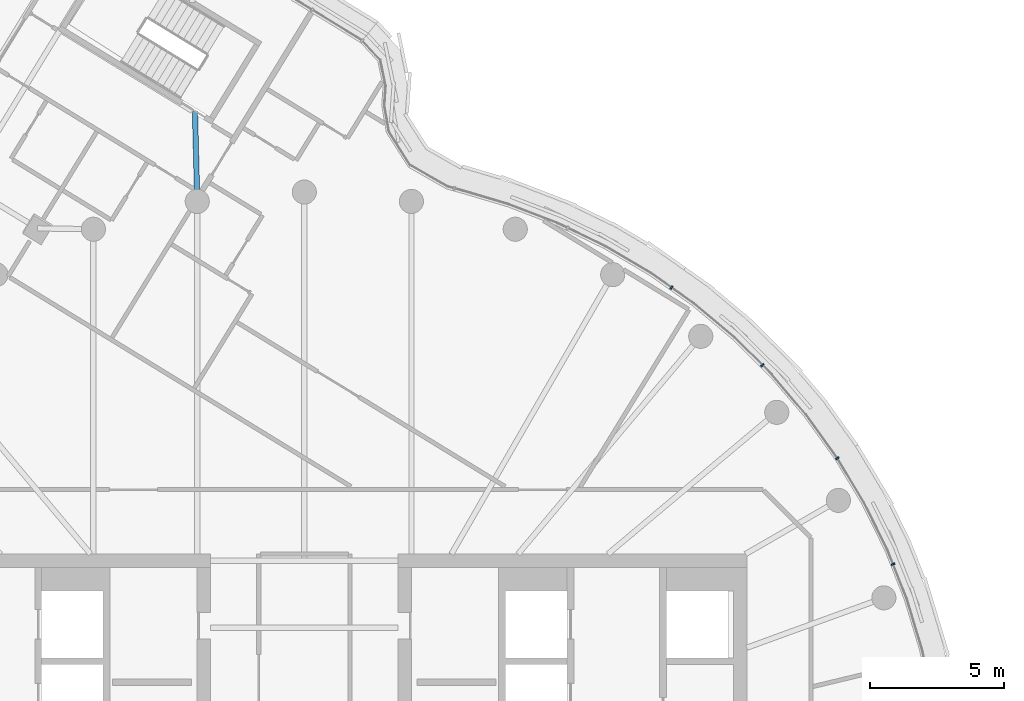
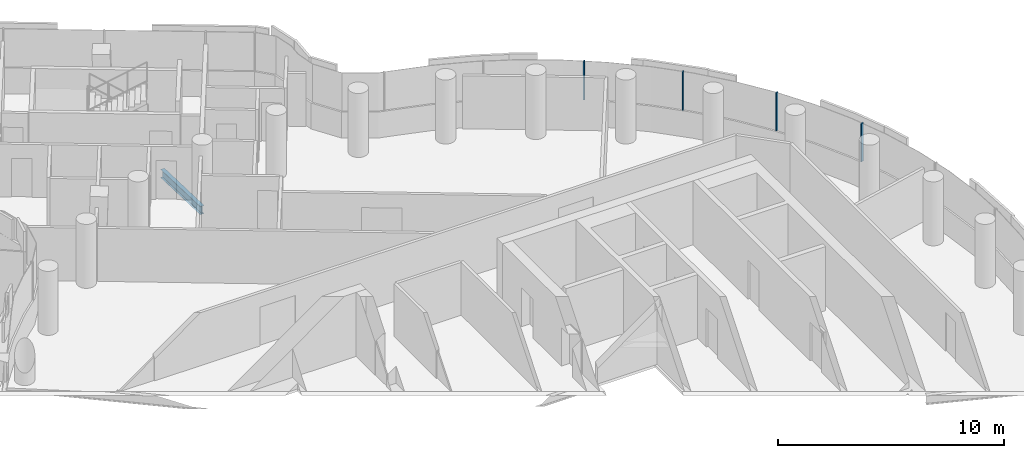
# One storey, part 13 of 27: 4 members, 1 beam, 1 element without a shape of its own.
"""IFC4 building model written with IfcOpenShell, lengths in metres."""

from ifc_helpers import new_model, si_unit, direction, frame, origin, origin_2d, place, context, subcontext, project, spatial, rectangle, i_section, extrude, material, layer, layer_set, material_profile, profile_set, type_object, element, aggregate, save


model = new_model("IFC4")

# Units and contexts
model_context = context("Model", 3, precision=1e-05, world=origin(), true_north=direction((0.0, 1.0)))
body_context = subcontext(model_context, "Body", "Model", "MODEL_VIEW")
ifc_project = project(units=[si_unit("LENGTHUNIT", "METRE"), si_unit("AREAUNIT", "SQUARE_METRE"), si_unit("VOLUMEUNIT", "CUBIC_METRE"), si_unit("PLANEANGLEUNIT", "RADIAN"), si_unit("MASSUNIT", "GRAM", prefix="KILO")], contexts=[model_context])

# Site, building, storey
site_placement = place(None, origin())
site = spatial("IfcSite", under=ifc_project, at=site_placement, CompositionType="ELEMENT")
building_placement = place(site_placement, origin())
building = spatial("IfcBuilding", under=site, at=building_placement, Name="Tamarind Cross Interchange Tower", CompositionType="ELEMENT")
storey_placement = place(building_placement, frame((0.0, 0.0, 245.10009765625)))
storey = spatial("IfcBuildingStorey", under=building, at=storey_placement, Name="L62", CompositionType="ELEMENT", Elevation=245.10009765625)

# Beam
ifc_material_1 = material(Name="Steel Q355B", Category="steel")
ifc_material_profile_1 = material_profile(ifc_material_1, i_section(OverallWidth=0.198974609375, OverallDepth=0.446044921875, WebThickness=0.008056640625, FlangeThickness=0.011962890625, FilletRadius=0.012939453125, at=origin_2d()), Name="HN 446x199x8x12")
ifc_profile_set_1 = profile_set([ifc_material_profile_1], Name="Steel Q355B")
beam_type = type_object("IfcBeamType", Name="Composite beam HN 446x199x8x12 Q355B", PredefinedType="BEAM", material=ifc_profile_set_1)
beam_placement = place(storey_placement, frame((-4.07861328125, 26.023193359375, -0.363037109375), z_axis=(0.025111522776, -0.999684655991, 0.0), x_axis=(0.999684655991, 0.025111522776, 0.0)))
element("IfcBeam", 1, at=beam_placement, inside=storey, type_object=beam_type, Name="Beam N-linkemt1", PredefinedType="BEAM", context=body_context, shape_type="SweptSolid", body=[
    extrude(i_section(OverallWidth=0.198974609375, OverallDepth=0.446044921875, WebThickness=0.008056640625, FlangeThickness=0.011962890625, FilletRadius=0.012939453125, at=origin_2d()), origin(), (0.0, 0.0, 1.0), 3.37353515625),
])

# Curtain wall, members
ifc_material_2 = material(Name="Aluminium 6063-T6", Category="aluminium")
ifc_layer = layer(ifc_material_2, 0.139892578125)
ifc_layer_set = layer_set([ifc_layer], Name="Aluminium 6063-T6")
curtain_wall_type = type_object("IfcCurtainWallType", Name="Hotel curtain wall, 4.5 m bays", PredefinedType="NOTDEFINED", material=ifc_layer_set)
curtain_wall_placement = place(storey_placement, origin())
curtain_wall = element("IfcCurtainWall", 2, at=curtain_wall_placement, inside=storey, type_object=curtain_wall_type, Name="CWS-L62-06", PredefinedType="NOTDEFINED")
ifc_material_profile_2 = material_profile(ifc_material_2, rectangle(XDim=0.06005859375, YDim=0.139892578125, at=origin_2d()), Name="Mullion CW2")
ifc_profile_set_2 = profile_set([ifc_material_profile_2], Name="Aluminium 6063-T6")
member_type = type_object("IfcMemberType", Name="Mullion CW2", PredefinedType="MULLION", material=ifc_profile_set_2)
member_1_placement = place(storey_placement, frame((21.95849609375, 9.12548828125, 1.39990234375), z_axis=(0.0, 0.0, 1.0), x_axis=(-0.367513773146, 0.930018078613, 0.0)))
member_1 = element("IfcMember", 3, at=member_1_placement, type_object=member_type, Name="CWM-L62-06-16", PredefinedType="MULLION", context=body_context, shape_type="SweptSolid", body=[
    extrude(rectangle(XDim=0.06005859375, YDim=0.139892578125, at=origin_2d()), origin(), (0.0, 0.0, 1.0), 2.06005859375),
])
member_2_placement = place(storey_placement, frame((19.8818359375, 13.072265625, 1.39990234375), z_axis=(0.0, 0.0, 1.0), x_axis=(-0.515577308909, 0.856843065292, 0.0)))
member_2 = element("IfcMember", 4, at=member_2_placement, type_object=member_type, Name="CWM-L62-06-17", PredefinedType="MULLION", context=body_context, shape_type="SweptSolid", body=[
    extrude(rectangle(XDim=0.06005859375, YDim=0.139892578125, at=origin_2d()), origin(), (0.0, 0.0, 1.0), 2.06005859375),
])
member_3_placement = place(storey_placement, frame((17.08251953125, 16.543701171875, 1.39990234375), z_axis=(0.0, 0.0, 1.0), x_axis=(-0.710143317658, 0.704057148523, 0.0)))
member_3 = element("IfcMember", 5, at=member_3_placement, type_object=member_type, Name="CWM-L62-06-18", PredefinedType="MULLION", context=body_context, shape_type="SweptSolid", body=[
    extrude(rectangle(XDim=0.06005859375, YDim=0.139892578125, at=origin_2d()), origin(), (0.0, 0.0, 1.0), 2.06005859375),
])
member_4_placement = place(storey_placement, frame((13.690673828125, 19.438232421875, 1.39990234375), z_axis=(0.0, 0.0, 1.0), x_axis=(-0.816341886298, 0.577568978284, 0.0)))
member_4 = element("IfcMember", 6, at=member_4_placement, type_object=member_type, Name="CWM-L62-06-19", PredefinedType="MULLION", context=body_context, shape_type="SweptSolid", body=[
    extrude(rectangle(XDim=0.06005859375, YDim=0.139892578125, at=origin_2d()), origin(), (0.0, 0.0, 1.0), 2.06005859375),
])
aggregate(curtain_wall, [member_1, member_2, member_3, member_4])

save(model, "model.ifc")
